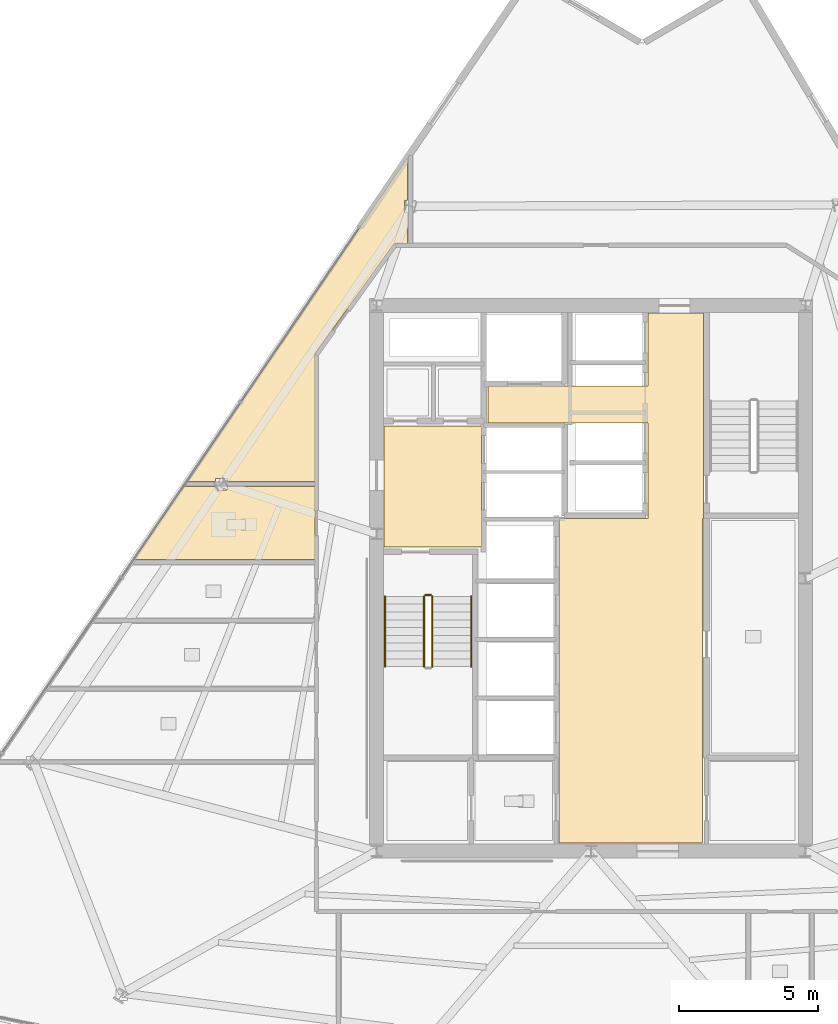
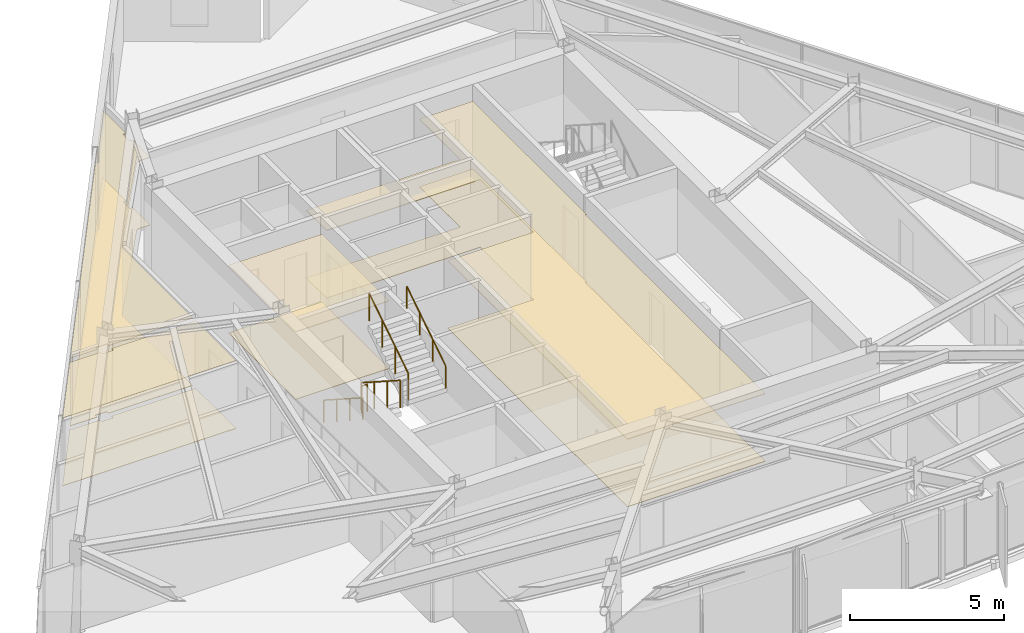
# One storey, part 12 of 15: 8 coverings, 5 railings.
"""IFC4 building model written with IfcOpenShell, lengths in metres."""

from ifc_helpers import new_model, si_unit, direction, frame, origin, origin_2d, place, context, subcontext, project, spatial, polyline, circle, outline, extrude, material, layer, layer_set, type_object, element, save


model = new_model("IFC4")

# Units and contexts
model_context = context("Model", 3, precision=1e-05, world=origin(), true_north=direction((0.0, 1.0)))
body_context = subcontext(model_context, "Body", "Model", "MODEL_VIEW")
ifc_project = project(units=[si_unit("LENGTHUNIT", "METRE"), si_unit("AREAUNIT", "SQUARE_METRE"), si_unit("VOLUMEUNIT", "CUBIC_METRE"), si_unit("PLANEANGLEUNIT", "RADIAN"), si_unit("MASSUNIT", "GRAM", prefix="KILO")], contexts=[model_context])

# Site, building, storey
site_placement = place(None, origin())
site = spatial("IfcSite", under=ifc_project, at=site_placement, CompositionType="ELEMENT")
building_placement = place(site_placement, origin())
building = spatial("IfcBuilding", under=site, at=building_placement, Name="Savorim Split Tower", CompositionType="ELEMENT")
storey_placement = place(building_placement, frame((0.0, 0.0, 201.89990234375)))
storey = spatial("IfcBuildingStorey", under=building, at=storey_placement, Name="L53", CompositionType="ELEMENT", Elevation=201.89990234375)

# Coverings
ifc_material_1 = material(Name="Mineral Fibre Acoustic Ceiling")
ifc_layer_1 = layer(ifc_material_1, 0.02490234375)
ifc_layer_set_1 = layer_set([ifc_layer_1], Name="COV-CEIL-25")
covering_type_1 = type_object("IfcCoveringType", Name="COV-CEIL-25", PredefinedType="CEILING", material=ifc_layer_set_1)
covering_1_placement = place(storey_placement, frame((0.0, 0.0, 2.670166015625)))
element("IfcCovering", 1, at=covering_1_placement, inside=storey, type_object=covering_type_1, Name="L53 Firefighting Lift Lobby Acoustic Ceiling", PredefinedType="CEILING", context=body_context, shape_type="SweptSolid", body=[
    extrude(outline(polyline([(-7.429931640625, 5.8701171875), (-7.429931640625, 1.530029296875), (-3.929931640625, 1.530029296875), (-3.929931640625, 5.8701171875), (-7.429931640625, 5.8701171875)])), origin(), (0.0, 0.0, 1.0), 0.02490234375),
])
covering_2_placement = place(storey_placement, frame((0.0, 0.0, 2.670166015625)))
element("IfcCovering", 2, at=covering_2_placement, inside=storey, type_object=covering_type_1, Name="L53 Lift Lobby Acoustic Ceiling", PredefinedType="CEILING", context=body_context, shape_type="SweptSolid", body=[
    extrude(outline(polyline([(2.050048828125, 2.550048828125), (-1.14990234375, 2.550048828125), (-1.14990234375, -9.10009765625), (4.0, -9.10009765625), (4.0, 2.550048828125), (4.050048828125, 2.550048828125), (4.050048828125, 5.97998046875), (4.050048828125, 7.300048828125), (4.050048828125, 9.929931640625), (2.050048828125, 9.929931640625), (2.050048828125, 7.300048828125), (-3.699951171875, 7.300048828125), (-3.699951171875, 5.97998046875), (2.050048828125, 5.97998046875), (2.050048828125, 2.550048828125)])), origin(), (0.0, 0.0, 1.0), 0.02490234375),
])
covering_3_placement = place(storey_placement, frame((0.0, 0.0, 2.670166015625)))
element("IfcCovering", 3, at=covering_3_placement, inside=storey, type_object=covering_type_1, Name="L53 Co-Living Bedroom Acoustic Ceiling", PredefinedType="CEILING", context=body_context, shape_type="SweptSolid", body=[
    extrude(outline(polyline([(-7.01318359375, 12.41943359375), (-7.0, 12.419921875), (-6.58203125, 12.419921875), (-6.58203125, 13.563232421875), (-6.696044921875, 13.563232421875), (-6.696044921875, 13.97021484375), (-6.58203125, 13.97021484375), (-6.58203125, 15.52734375), (-14.505615234375, 3.8798828125), (-13.486572265625, 3.8798828125), (-13.486572265625, 3.98828125), (-13.068603515625, 3.98828125), (-13.068603515625, 3.8798828125), (-9.919921875, 3.8798828125), (-9.919921875, 8.39990234375), (-9.919189453125, 8.41455078125), (-9.9169921875, 8.4287109375), (-9.913330078125, 8.44287109375), (-9.908203125, 8.456298828125), (-9.901611328125, 8.46923828125), (-9.893798828125, 8.4814453125), (-7.11376953125, 12.361572265625), (-7.105712890625, 12.3720703125), (-7.096435546875, 12.381591796875), (-7.086181640625, 12.39013671875), (-7.075439453125, 12.39794921875), (-7.06396484375, 12.404541015625), (-7.052001953125, 12.409912109375), (-7.039306640625, 12.414306640625), (-7.0263671875, 12.41748046875), (-7.01318359375, 12.41943359375)])), origin(), (0.0, 0.0, 1.0), 0.02490234375),
])
covering_4_placement = place(storey_placement, frame((0.0, 0.0, 2.670166015625)))
element("IfcCovering", 4, at=covering_4_placement, inside=storey, type_object=covering_type_1, Name="L53 Shared Bathroom Acoustic Ceiling", PredefinedType="CEILING", context=body_context, shape_type="SweptSolid", body=[
    extrude(outline(polyline([(-13.486572265625, 3.68994140625), (-14.509765625, 3.68994140625), (-14.604736328125, 3.68994140625), (-14.604736328125, 3.734130859375), (-16.41357421875, 1.0751953125), (-9.919921875, 1.0751953125), (-9.919921875, 3.68994140625), (-13.068603515625, 3.68994140625), (-13.068603515625, 3.581298828125), (-13.486572265625, 3.581298828125), (-13.486572265625, 3.68994140625)])), origin(), (0.0, 0.0, 1.0), 0.02490234375),
])
ifc_material_2 = material(Name="Porcelain Stoneware Flooring", Category="masonry")
ifc_layer_2 = layer(ifc_material_2, 0.02001953125)
ifc_layer_set_2 = layer_set([ifc_layer_2], Name="COV-FLOR-20")
covering_type_2 = type_object("IfcCoveringType", Name="COV-FLOR-20", PredefinedType="FLOORING", material=ifc_layer_set_2)
covering_5_placement = place(storey_placement, origin())
element("IfcCovering", 5, at=covering_5_placement, inside=storey, type_object=covering_type_2, Name="L53 Firefighting Lift Lobby Porcelain Flooring", PredefinedType="FLOORING", context=body_context, shape_type="SweptSolid", body=[
    extrude(outline(polyline([(-7.429931640625, 5.8701171875), (-7.429931640625, 1.530029296875), (-3.929931640625, 1.530029296875), (-3.929931640625, 5.8701171875), (-7.429931640625, 5.8701171875)])), origin(), (0.0, 0.0, 1.0), 0.02001953125),
])
covering_6_placement = place(storey_placement, origin())
element("IfcCovering", 6, at=covering_6_placement, inside=storey, type_object=covering_type_2, Name="L53 Lift Lobby Porcelain Flooring", PredefinedType="FLOORING", context=body_context, shape_type="SweptSolid", body=[
    extrude(outline(polyline([(2.050048828125, 2.550048828125), (-1.14990234375, 2.550048828125), (-1.14990234375, -9.10009765625), (4.0, -9.10009765625), (4.0, 2.550048828125), (4.050048828125, 2.550048828125), (4.050048828125, 5.97998046875), (4.050048828125, 7.300048828125), (4.050048828125, 9.929931640625), (2.050048828125, 9.929931640625), (2.050048828125, 7.300048828125), (-3.699951171875, 7.300048828125), (-3.699951171875, 5.97998046875), (2.050048828125, 5.97998046875), (2.050048828125, 2.550048828125)])), origin(), (0.0, 0.0, 1.0), 0.02001953125),
])
covering_7_placement = place(storey_placement, origin())
element("IfcCovering", 7, at=covering_7_placement, inside=storey, type_object=covering_type_2, Name="L53 Co-Living Bedroom Porcelain Flooring", PredefinedType="FLOORING", context=body_context, shape_type="SweptSolid", body=[
    extrude(outline(polyline([(-7.01318359375, 12.41943359375), (-7.0, 12.419921875), (-6.58203125, 12.419921875), (-6.58203125, 13.563232421875), (-6.696044921875, 13.563232421875), (-6.696044921875, 13.97021484375), (-6.58203125, 13.97021484375), (-6.58203125, 15.52734375), (-14.505615234375, 3.8798828125), (-13.486572265625, 3.8798828125), (-13.486572265625, 3.98828125), (-13.068603515625, 3.98828125), (-13.068603515625, 3.8798828125), (-9.919921875, 3.8798828125), (-9.919921875, 8.39990234375), (-9.919189453125, 8.41455078125), (-9.9169921875, 8.4287109375), (-9.913330078125, 8.44287109375), (-9.908203125, 8.456298828125), (-9.901611328125, 8.46923828125), (-9.893798828125, 8.4814453125), (-7.11376953125, 12.361572265625), (-7.105712890625, 12.3720703125), (-7.096435546875, 12.381591796875), (-7.086181640625, 12.39013671875), (-7.075439453125, 12.39794921875), (-7.06396484375, 12.404541015625), (-7.052001953125, 12.409912109375), (-7.039306640625, 12.414306640625), (-7.0263671875, 12.41748046875), (-7.01318359375, 12.41943359375)])), origin(), (0.0, 0.0, 1.0), 0.02001953125),
])
covering_8_placement = place(storey_placement, origin())
element("IfcCovering", 8, at=covering_8_placement, inside=storey, type_object=covering_type_2, Name="L53 Shared Bathroom Porcelain Flooring", PredefinedType="FLOORING", context=body_context, shape_type="SweptSolid", body=[
    extrude(outline(polyline([(-13.486572265625, 3.68994140625), (-14.509765625, 3.68994140625), (-14.604736328125, 3.68994140625), (-14.604736328125, 3.734130859375), (-16.41357421875, 1.0751953125), (-9.919921875, 1.0751953125), (-9.919921875, 3.68994140625), (-13.068603515625, 3.68994140625), (-13.068603515625, 3.581298828125), (-13.486572265625, 3.581298828125), (-13.486572265625, 3.68994140625)])), origin(), (0.0, 0.0, 1.0), 0.02001953125),
])

# Railings
ifc_material_3 = material(Name="Galvanised Painted Steel Balustrade", Category="steel")
railing_type_1 = type_object("IfcRailingType", Name="RLG-HR-900", PredefinedType="HANDRAIL", material=ifc_material_3)
railing_1_placement = place(storey_placement, frame((-7.39990234375, -0.25, 0.18017578125)))
element("IfcRailing", 9, at=railing_1_placement, inside=storey, type_object=railing_type_1, Name="L53 ST-1 stair handrail 1", PredefinedType="HANDRAIL", context=body_context, shape_type="SweptSolid", body=[
    extrude(circle(Radius=0.02392578125, at=origin_2d()), frame((0.0, 0.0, 0.8759765625), z_axis=(0.0, -0.841199657755, 0.540724639528), x_axis=(1.0, 0.0, 0.0)), (0.0, 0.0, 1.0), 2.995849609375),
    extrude(circle(Radius=0.02099609375, at=origin_2d()), origin(), (0.0, 0.0, 1.0), 0.851806640625),
    extrude(circle(Radius=0.02099609375, at=origin_2d()), frame((0.0, -0.840087890625, 0.5400390625)), (0.0, 0.0, 1.0), 0.851806640625),
    extrude(circle(Radius=0.02099609375, at=origin_2d()), frame((0.0, -1.679931640625, 1.079833984375)), (0.0, 0.0, 1.0), 0.851806640625),
    extrude(circle(Radius=0.02099609375, at=origin_2d()), frame((0.0, -2.52001953125, 1.619873046875)), (0.0, 0.0, 1.0), 0.851806640625),
])
railing_2_placement = place(storey_placement, frame((-4.300048828125, -2.77001953125, 1.97998046875)))
element("IfcRailing", 10, at=railing_2_placement, inside=storey, type_object=railing_type_1, Name="L53 ST-1 stair handrail 2", PredefinedType="HANDRAIL", context=body_context, shape_type="SweptSolid", body=[
    extrude(circle(Radius=0.02392578125, at=origin_2d()), frame((0.0, 0.0, 0.8759765625), z_axis=(0.0, 0.841162588446, 0.540782303519), x_axis=(-1.0, 0.0, 0.0)), (0.0, 0.0, 1.0), 2.995849609375),
    extrude(circle(Radius=0.02099609375, at=origin_2d()), origin(), (0.0, 0.0, 1.0), 0.851806640625),
    extrude(circle(Radius=0.02099609375, at=origin_2d()), frame((0.0, 0.840087890625, 0.5400390625)), (0.0, 0.0, 1.0), 0.851806640625),
    extrude(circle(Radius=0.02099609375, at=origin_2d()), frame((0.0, 1.679931640625, 1.080078125)), (0.0, 0.0, 1.0), 0.851806640625),
    extrude(circle(Radius=0.02099609375, at=origin_2d()), frame((0.0, 2.52001953125, 1.6201171875)), (0.0, 0.0, 1.0), 0.851806640625),
])
railing_type_2 = type_object("IfcRailingType", Name="RLG-STG-1100", PredefinedType="BALUSTRADE", material=ifc_material_3)
railing_3_placement = place(storey_placement, frame((-6.0, -0.25, 0.18017578125)))
element("IfcRailing", 11, at=railing_3_placement, inside=storey, type_object=railing_type_2, Name="L53 ST-1 stair guard 1", PredefinedType="BALUSTRADE", context=body_context, shape_type="SweptSolid", body=[
    extrude(circle(Radius=0.02392578125, at=origin_2d()), frame((0.0, 0.0, 1.076171875), z_axis=(0.0, -0.841199657755, 0.540724639528), x_axis=(1.0, 0.0, 0.0)), (0.0, 0.0, 1.0), 2.995849609375),
    extrude(circle(Radius=0.02099609375, at=origin_2d()), origin(), (0.0, 0.0, 1.0), 1.052001953125),
    extrude(circle(Radius=0.02099609375, at=origin_2d()), frame((0.0, -0.840087890625, 0.5400390625)), (0.0, 0.0, 1.0), 1.052001953125),
    extrude(circle(Radius=0.02099609375, at=origin_2d()), frame((0.0, -1.679931640625, 1.079833984375)), (0.0, 0.0, 1.0), 1.052001953125),
    extrude(circle(Radius=0.02099609375, at=origin_2d()), frame((0.0, -2.52001953125, 1.619873046875)), (0.0, 0.0, 1.0), 1.052001953125),
])
railing_4_placement = place(storey_placement, frame((-5.699951171875, -2.77001953125, 1.97998046875)))
element("IfcRailing", 12, at=railing_4_placement, inside=storey, type_object=railing_type_2, Name="L53 ST-1 stair guard 3", PredefinedType="BALUSTRADE", context=body_context, shape_type="SweptSolid", body=[
    extrude(circle(Radius=0.02392578125, at=origin_2d()), frame((0.0, 0.0, 1.076171875), z_axis=(0.0, 0.841162588446, 0.540782303519), x_axis=(-1.0, 0.0, 0.0)), (0.0, 0.0, 1.0), 2.995849609375),
    extrude(circle(Radius=0.02099609375, at=origin_2d()), origin(), (0.0, 0.0, 1.0), 1.052001953125),
    extrude(circle(Radius=0.02099609375, at=origin_2d()), frame((0.0, 0.840087890625, 0.5400390625)), (0.0, 0.0, 1.0), 1.052001953125),
    extrude(circle(Radius=0.02099609375, at=origin_2d()), frame((0.0, 1.679931640625, 1.080078125)), (0.0, 0.0, 1.0), 1.052001953125),
    extrude(circle(Radius=0.02099609375, at=origin_2d()), frame((0.0, 2.52001953125, 1.6201171875)), (0.0, 0.0, 1.0), 1.052001953125),
])
railing_5_placement = place(storey_placement, frame((-5.949951171875, -0.199951171875, 0.0)))
element("IfcRailing", 13, at=railing_5_placement, inside=storey, type_object=railing_type_2, Name="L53 ST-1 stair guard 4", PredefinedType="BALUSTRADE", context=body_context, shape_type="SweptSolid", body=[
    extrude(circle(Radius=0.02392578125, at=origin_2d()), frame((0.0, 0.0, 1.076171875), z_axis=(1.0, 0.0, 0.0), x_axis=(0.0, 1.0, 0.0)), (0.0, 0.0, 1.0), 0.199951171875),
    extrude(circle(Radius=0.02099609375, at=origin_2d()), origin(), (0.0, 0.0, 1.0), 1.052001953125),
    extrude(circle(Radius=0.02099609375, at=origin_2d()), frame((0.199951171875, 0.0, 0.0)), (0.0, 0.0, 1.0), 1.052001953125),
])

save(model, "model.ifc")
